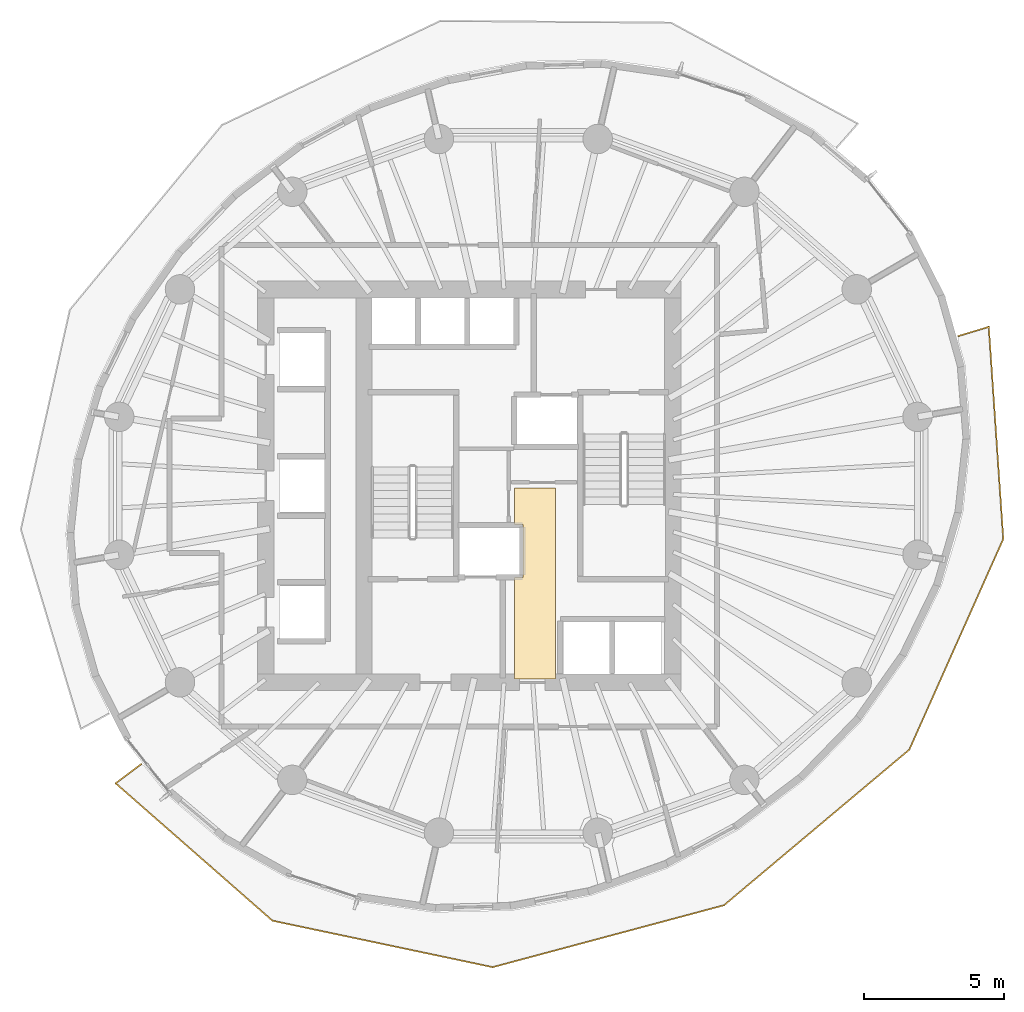
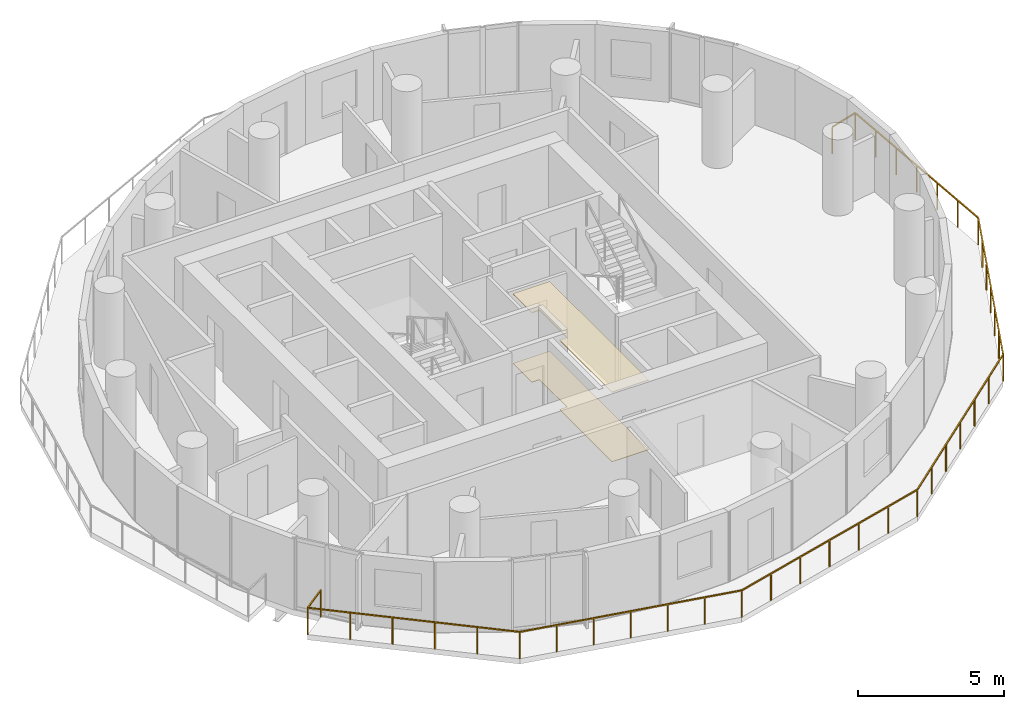
# One storey, part 9 of 12: 2 coverings, 1 railing.
"""IFC4 building model written with IfcOpenShell, lengths in metres."""

from ifc_helpers import new_model, si_unit, direction, frame, origin, origin_2d, place, context, subcontext, project, spatial, polyline, rectangle, outline, extrude, material, layer, layer_set, type_object, element, save


model = new_model("IFC4")

# Units and contexts
model_context = context("Model", 3, precision=1e-05, world=origin(), true_north=direction((0.0, 1.0)))
body_context = subcontext(model_context, "Body", "Model", "MODEL_VIEW")
ifc_project = project(units=[si_unit("LENGTHUNIT", "METRE"), si_unit("AREAUNIT", "SQUARE_METRE"), si_unit("VOLUMEUNIT", "CUBIC_METRE"), si_unit("PLANEANGLEUNIT", "RADIAN"), si_unit("MASSUNIT", "GRAM", prefix="KILO")], contexts=[model_context])

# Site, building, storey
site_placement = place(None, origin())
site = spatial("IfcSite", under=ifc_project, at=site_placement, CompositionType="ELEMENT")
building_placement = place(site_placement, origin())
building = spatial("IfcBuilding", under=site, at=building_placement, Name="Veldorim Arch Residences", CompositionType="ELEMENT")
storey_placement = place(building_placement, frame((0.0, 0.0, 132.9599609375)))
storey = spatial("IfcBuildingStorey", under=building, at=storey_placement, Name="L39", CompositionType="ELEMENT", Elevation=132.9599609375)

# Railing
ifc_material_1 = material(Name="Aluminium", Category="aluminium")
railing_type = type_object("IfcRailingType", Name="Balcony & Terrace Laminated Glass Balustrade 1150", PredefinedType="BALUSTRADE", material=ifc_material_1)
railing_placement = place(storey_placement, frame((18.569580078125, 14.0927734375, 0.0)))
element("IfcRailing", 1, at=railing_placement, inside=storey, type_object=railing_type, Name="L39 crescent balcony safety balustrade B", PredefinedType="BALUSTRADE", context=body_context, shape_type="SweptSolid", body=[
    extrude(rectangle(XDim=0.048095703125, YDim=0.048095703125, at=origin_2d()), frame((0.0, 0.0, 1.1259765625), z_axis=(-0.799005189212, -0.60132412858, 0.0), x_axis=(0.60132412858, -0.799005189212, 0.0)), (0.0, 0.0, 1.0), 1.14990234375),
    extrude(rectangle(XDim=0.048095703125, YDim=0.048095703125, at=origin_2d()), frame((-0.918701171875, -0.69140625, 1.1259765625), z_axis=(0.752091986719, -0.65905814881, 0.0), x_axis=(0.65905814881, 0.752091986719, 0.0)), (0.0, 0.0, 1.0), 7.42919921875),
    extrude(rectangle(XDim=0.048095703125, YDim=0.048095703125, at=origin_2d()), frame((4.668701171875, -5.587646484375, 1.1259765625), z_axis=(0.978449867338, -0.206484520259, 0.0), x_axis=(0.206484520259, 0.978449867338, 0.0)), (0.0, 0.0, 1.0), 8.02001953125),
    extrude(rectangle(XDim=0.048095703125, YDim=0.048095703125, at=origin_2d()), frame((12.515869140625, -7.24365234375, 1.1259765625), z_axis=(0.965983283488, 0.258604516629, 0.0), x_axis=(-0.258604516629, 0.965983283488, 0.0)), (0.0, 0.0, 1.0), 8.533447265625),
    extrude(rectangle(XDim=0.048095703125, YDim=0.048095703125, at=origin_2d()), frame((20.759033203125, -5.036865234375, 1.1259765625), z_axis=(0.765860462133, 0.643006805983, 0.0), x_axis=(-0.643006805983, 0.765860462133, 0.0)), (0.0, 0.0, 1.0), 8.62255859375),
    extrude(rectangle(XDim=0.048095703125, YDim=0.048095703125, at=origin_2d()), frame((27.36279296875, 0.507568359375, 1.1259765625), z_axis=(0.407229376237, 0.913325919445, 0.0), x_axis=(-0.913325919445, 0.407229376237, 0.0)), (0.0, 0.0, 1.0), 8.220458984375),
    extrude(rectangle(XDim=0.048095703125, YDim=0.048095703125, at=origin_2d()), frame((30.71044921875, 8.015625, 1.1259765625), z_axis=(-0.068255718244, 0.997667859023, 0.0), x_axis=(-0.997667859023, -0.068255718244, 0.0)), (0.0, 0.0, 1.0), 7.57568359375),
    extrude(rectangle(XDim=0.048095703125, YDim=0.048095703125, at=origin_2d()), frame((30.193359375, 15.57373046875, 1.1259765625), z_axis=(-0.957281150687, -0.289158777386, 0.0), x_axis=(0.289158777386, -0.957281150687, 0.0)), (0.0, 0.0, 1.0), 1.14990234375),
    extrude(rectangle(XDim=0.0419921875, YDim=0.0419921875, at=origin_2d()), origin(), (0.0, 0.0, 1.0), 1.101806640625),
    extrude(rectangle(XDim=0.0419921875, YDim=0.0419921875, at=origin_2d()), frame((-0.918701171875, -0.69140625, 0.0)), (0.0, 0.0, 1.0), 1.101806640625),
    extrude(rectangle(XDim=0.0419921875, YDim=0.0419921875, at=origin_2d()), frame((0.19873046875, -1.670654296875, 0.0)), (0.0, 0.0, 1.0), 1.101806640625),
    extrude(rectangle(XDim=0.0419921875, YDim=0.0419921875, at=origin_2d()), frame((1.316162109375, -2.64990234375, 0.0)), (0.0, 0.0, 1.0), 1.101806640625),
    extrude(rectangle(XDim=0.0419921875, YDim=0.0419921875, at=origin_2d()), frame((2.433837890625, -3.629150390625, 0.0)), (0.0, 0.0, 1.0), 1.101806640625),
    extrude(rectangle(XDim=0.0419921875, YDim=0.0419921875, at=origin_2d()), frame((3.55126953125, -4.6083984375, 0.0)), (0.0, 0.0, 1.0), 1.101806640625),
    extrude(rectangle(XDim=0.0419921875, YDim=0.0419921875, at=origin_2d()), frame((4.668701171875, -5.587646484375, 0.0)), (0.0, 0.0, 1.0), 1.101806640625),
    extrude(rectangle(XDim=0.0419921875, YDim=0.0419921875, at=origin_2d()), frame((5.9765625, -5.86376953125, 0.0)), (0.0, 0.0, 1.0), 1.101806640625),
    extrude(rectangle(XDim=0.0419921875, YDim=0.0419921875, at=origin_2d()), frame((7.284423828125, -6.1396484375, 0.0)), (0.0, 0.0, 1.0), 1.101806640625),
    extrude(rectangle(XDim=0.0419921875, YDim=0.0419921875, at=origin_2d()), frame((8.59228515625, -6.41552734375, 0.0)), (0.0, 0.0, 1.0), 1.101806640625),
    extrude(rectangle(XDim=0.0419921875, YDim=0.0419921875, at=origin_2d()), frame((9.900146484375, -6.691650390625, 0.0)), (0.0, 0.0, 1.0), 1.101806640625),
    extrude(rectangle(XDim=0.0419921875, YDim=0.0419921875, at=origin_2d()), frame((11.2080078125, -6.9677734375, 0.0)), (0.0, 0.0, 1.0), 1.101806640625),
    extrude(rectangle(XDim=0.0419921875, YDim=0.0419921875, at=origin_2d()), frame((12.515869140625, -7.24365234375, 0.0)), (0.0, 0.0, 1.0), 1.101806640625),
    extrude(rectangle(XDim=0.0419921875, YDim=0.0419921875, at=origin_2d()), frame((13.8896484375, -6.8759765625, 0.0)), (0.0, 0.0, 1.0), 1.101806640625),
    extrude(rectangle(XDim=0.0419921875, YDim=0.0419921875, at=origin_2d()), frame((15.263671875, -6.508056640625, 0.0)), (0.0, 0.0, 1.0), 1.101806640625),
    extrude(rectangle(XDim=0.0419921875, YDim=0.0419921875, at=origin_2d()), frame((16.637451171875, -6.14013671875, 0.0)), (0.0, 0.0, 1.0), 1.101806640625),
    extrude(rectangle(XDim=0.0419921875, YDim=0.0419921875, at=origin_2d()), frame((18.01123046875, -5.7724609375, 0.0)), (0.0, 0.0, 1.0), 1.101806640625),
    extrude(rectangle(XDim=0.0419921875, YDim=0.0419921875, at=origin_2d()), frame((19.38525390625, -5.40478515625, 0.0)), (0.0, 0.0, 1.0), 1.101806640625),
    extrude(rectangle(XDim=0.0419921875, YDim=0.0419921875, at=origin_2d()), frame((20.759033203125, -5.036865234375, 0.0)), (0.0, 0.0, 1.0), 1.101806640625),
    extrude(rectangle(XDim=0.0419921875, YDim=0.0419921875, at=origin_2d()), frame((21.859619140625, -4.11279296875, 0.0)), (0.0, 0.0, 1.0), 1.101806640625),
    extrude(rectangle(XDim=0.0419921875, YDim=0.0419921875, at=origin_2d()), frame((22.960205078125, -3.188720703125, 0.0)), (0.0, 0.0, 1.0), 1.101806640625),
    extrude(rectangle(XDim=0.0419921875, YDim=0.0419921875, at=origin_2d()), frame((24.06103515625, -2.2646484375, 0.0)), (0.0, 0.0, 1.0), 1.101806640625),
    extrude(rectangle(XDim=0.0419921875, YDim=0.0419921875, at=origin_2d()), frame((25.16162109375, -1.340576171875, 0.0)), (0.0, 0.0, 1.0), 1.101806640625),
    extrude(rectangle(XDim=0.0419921875, YDim=0.0419921875, at=origin_2d()), frame((26.26220703125, -0.41650390625, 0.0)), (0.0, 0.0, 1.0), 1.101806640625),
    extrude(rectangle(XDim=0.0419921875, YDim=0.0419921875, at=origin_2d()), frame((27.36279296875, 0.507568359375, 0.0)), (0.0, 0.0, 1.0), 1.101806640625),
    extrude(rectangle(XDim=0.0419921875, YDim=0.0419921875, at=origin_2d()), frame((27.920654296875, 1.7587890625, 0.0)), (0.0, 0.0, 1.0), 1.101806640625),
    extrude(rectangle(XDim=0.0419921875, YDim=0.0419921875, at=origin_2d()), frame((28.478759765625, 3.01025390625, 0.0)), (0.0, 0.0, 1.0), 1.101806640625),
    extrude(rectangle(XDim=0.0419921875, YDim=0.0419921875, at=origin_2d()), frame((29.03662109375, 4.26171875, 0.0)), (0.0, 0.0, 1.0), 1.101806640625),
    extrude(rectangle(XDim=0.0419921875, YDim=0.0419921875, at=origin_2d()), frame((29.594482421875, 5.512939453125, 0.0)), (0.0, 0.0, 1.0), 1.101806640625),
    extrude(rectangle(XDim=0.0419921875, YDim=0.0419921875, at=origin_2d()), frame((30.152587890625, 6.76416015625, 0.0)), (0.0, 0.0, 1.0), 1.101806640625),
    extrude(rectangle(XDim=0.0419921875, YDim=0.0419921875, at=origin_2d()), frame((30.71044921875, 8.015625, 0.0)), (0.0, 0.0, 1.0), 1.101806640625),
    extrude(rectangle(XDim=0.0419921875, YDim=0.0419921875, at=origin_2d()), frame((30.624267578125, 9.275390625, 0.0)), (0.0, 0.0, 1.0), 1.101806640625),
    extrude(rectangle(XDim=0.0419921875, YDim=0.0419921875, at=origin_2d()), frame((30.5380859375, 10.534912109375, 0.0)), (0.0, 0.0, 1.0), 1.101806640625),
    extrude(rectangle(XDim=0.0419921875, YDim=0.0419921875, at=origin_2d()), frame((30.451904296875, 11.794677734375, 0.0)), (0.0, 0.0, 1.0), 1.101806640625),
    extrude(rectangle(XDim=0.0419921875, YDim=0.0419921875, at=origin_2d()), frame((30.36572265625, 13.054443359375, 0.0)), (0.0, 0.0, 1.0), 1.101806640625),
    extrude(rectangle(XDim=0.0419921875, YDim=0.0419921875, at=origin_2d()), frame((30.279541015625, 14.31396484375, 0.0)), (0.0, 0.0, 1.0), 1.101806640625),
    extrude(rectangle(XDim=0.0419921875, YDim=0.0419921875, at=origin_2d()), frame((30.193359375, 15.57373046875, 0.0)), (0.0, 0.0, 1.0), 1.101806640625),
    extrude(rectangle(XDim=0.0419921875, YDim=0.0419921875, at=origin_2d()), frame((29.092529296875, 15.2412109375, 0.0)), (0.0, 0.0, 1.0), 1.101806640625),
])

# Coverings
ifc_material_2 = material(Name="Acoustic Gypsum & Mineral Fibre", Category="gypsum")
ifc_layer_1 = layer(ifc_material_2, 0.034912109375, Name="Perforated Acoustic Mineral-Fibre Ceiling 35")
ifc_layer_set_1 = layer_set([ifc_layer_1], Name="Acoustic Gypsum & Mineral Fibre")
covering_type_1 = type_object("IfcCoveringType", Name="Perforated Acoustic Mineral-Fibre Ceiling 35", PredefinedType="CEILING", material=ifc_layer_set_1)
covering_1_placement = place(storey_placement, frame((0.0, 0.0, 2.905029296875)))
element("IfcCovering", 2, at=covering_1_placement, inside=storey, type_object=covering_type_1, Name="L39 acoustic suspended ceiling 01", PredefinedType="CEILING", context=body_context, shape_type="SweptSolid", body=[
    extrude(outline(polyline([(33.330078125, 23.929931640625), (33.330078125, 17.1201171875), (31.8701171875, 17.1201171875), (31.8701171875, 20.735107421875), (32.169921875, 20.735107421875), (32.169921875, 22.625), (31.8701171875, 22.625), (31.8701171875, 23.929931640625), (33.330078125, 23.929931640625)])), origin(), (0.0, 0.0, 1.0), 0.034912109375),
])
ifc_material_3 = material(Name="Porcelain Ceramic Tile", Category="ceramic")
ifc_layer_2 = layer(ifc_material_3, 0.02001953125, Name="Slip-Resistant Porcelain & Vinyl Floor Finish 20")
ifc_layer_set_2 = layer_set([ifc_layer_2], Name="Porcelain Ceramic Tile")
covering_type_2 = type_object("IfcCoveringType", Name="Slip-Resistant Porcelain & Vinyl Floor Finish 20", PredefinedType="FLOORING", material=ifc_layer_set_2)
covering_2_placement = place(storey_placement, origin())
element("IfcCovering", 3, at=covering_2_placement, inside=storey, type_object=covering_type_2, Name="L39 porcelain floor finish 01", PredefinedType="FLOORING", context=body_context, shape_type="SweptSolid", body=[
    extrude(outline(polyline([(33.330078125, 23.929931640625), (33.330078125, 17.1201171875), (31.8701171875, 17.1201171875), (31.8701171875, 20.735107421875), (32.169921875, 20.735107421875), (32.169921875, 22.625), (31.8701171875, 22.625), (31.8701171875, 23.929931640625), (33.330078125, 23.929931640625)])), origin(), (0.0, 0.0, 1.0), 0.02001953125),
])

save(model, "model.ifc")
